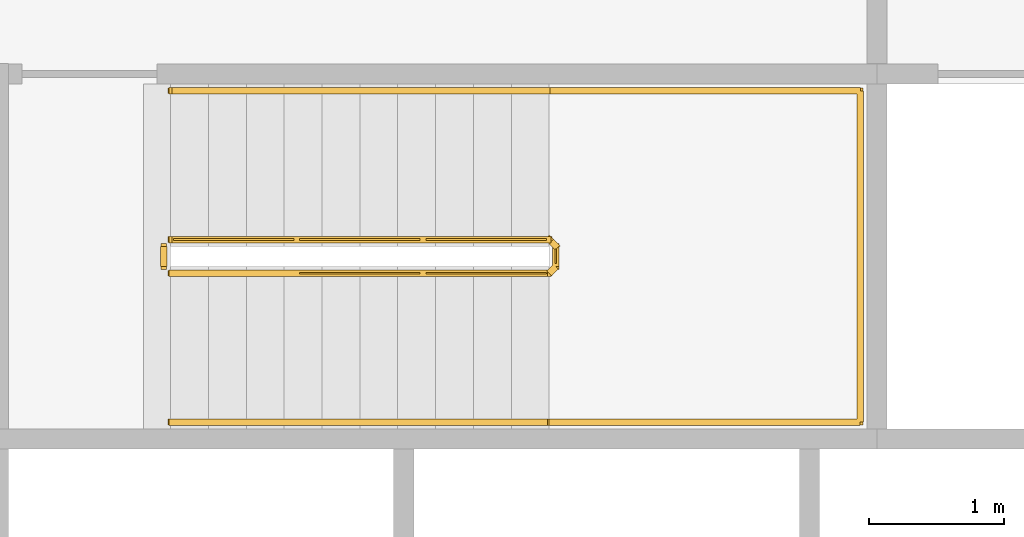
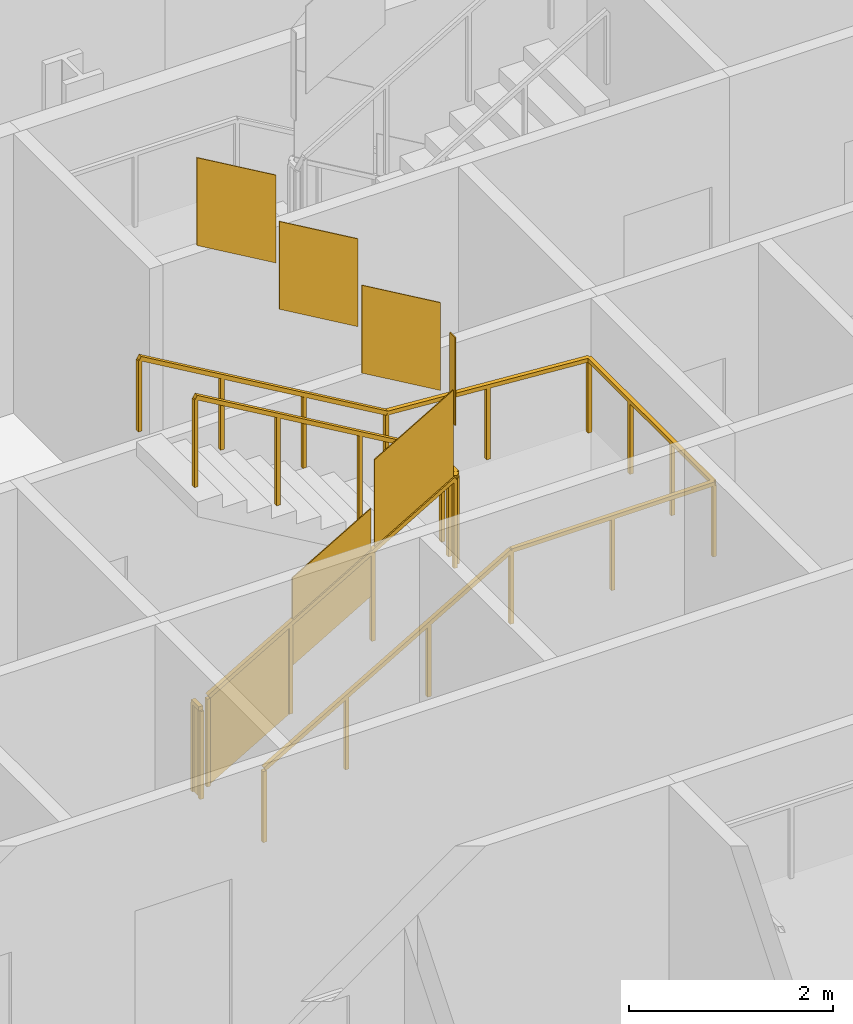
# One storey, part 18 of 23: 3 railings.
"""IFC4 building model written with IfcOpenShell, lengths in metres."""

from ifc_helpers import new_model, si_unit, direction, frame, origin, origin_2d, place, context, subcontext, project, spatial, polyline, rectangle, outline, extrude, material, type_object, element, save


model = new_model("IFC4")

# Units and contexts
model_context = context("Model", 3, precision=1e-05, world=origin(), true_north=direction((0.0, 1.0)))
body_context = subcontext(model_context, "Body", "Model", "MODEL_VIEW")
ifc_project = project(units=[si_unit("LENGTHUNIT", "METRE"), si_unit("AREAUNIT", "SQUARE_METRE"), si_unit("VOLUMEUNIT", "CUBIC_METRE"), si_unit("PLANEANGLEUNIT", "RADIAN"), si_unit("MASSUNIT", "GRAM", prefix="KILO")], contexts=[model_context])

# Site, building, storey
site_placement = place(None, origin())
site = spatial("IfcSite", under=ifc_project, at=site_placement, CompositionType="ELEMENT")
building_placement = place(site_placement, origin())
building = spatial("IfcBuilding", under=site, at=building_placement, Name="Cairn Pilgrim Tower", CompositionType="ELEMENT")
storey_placement = place(building_placement, frame((0.0, 0.0, 115.800048828125)))
storey = spatial("IfcBuildingStorey", under=building, at=storey_placement, Name="L28", CompositionType="ELEMENT", Elevation=115.800048828125)

# Railings
ifc_material = material(Name="Painted steel", Category="steel")
railing_type_1 = type_object("IfcRailingType", Name="STAIR GUARD 1100", PredefinedType="GUARDRAIL", material=ifc_material)
railing_1_placement = place(storey_placement, frame((4.47509765625, 3.425048828125, 0.16357421875)))
element("IfcRailing", 1, at=railing_1_placement, inside=storey, type_object=railing_type_1, Name="L28 ST-B stair guard 1", PredefinedType="GUARDRAIL", context=body_context, shape_type="SweptSolid", body=[
    extrude(rectangle(XDim=0.048095703125, YDim=0.048095703125, at=origin_2d()), frame((0.0, 0.0, 1.076171875), z_axis=(0.863341702679, 0.0, 0.504619762213), x_axis=(0.0, 1.0, 0.0)), (0.0, 0.0, 1.0), 3.242919921875),
    extrude(rectangle(XDim=0.048095703125, YDim=0.048095703125, at=origin_2d()), frame((2.7998046875, 0.0, 2.71240234375), z_axis=(0.707106781187, 0.707106781187, 0.0), x_axis=(-0.707106781187, 0.707106781187, 0.0)), (0.0, 0.0, 1.0), 0.07080078125),
    extrude(rectangle(XDim=0.048095703125, YDim=0.048095703125, at=origin_2d()), frame((2.849853515625, 0.050048828125, 2.71240234375), z_axis=(0.0, 1.0, 0.0), x_axis=(-1.0, 0.0, 0.0)), (0.0, 0.0, 1.0), 0.14990234375),
    extrude(rectangle(XDim=0.048095703125, YDim=0.048095703125, at=origin_2d()), frame((2.849853515625, 0.199951171875, 2.71240234375), z_axis=(-0.280808744504, 0.280808744504, 0.917765164963), x_axis=(-0.707106781187, -0.707106781187, 0.0)), (0.0, 0.0, 1.0), 0.17822265625),
    extrude(rectangle(XDim=0.048095703125, YDim=0.048095703125, at=origin_2d()), frame((2.7998046875, 0.25, 2.8759765625), z_axis=(-0.863374499697, 0.0, 0.504563646405), x_axis=(0.0, -1.0, 0.0)), (0.0, 0.0, 1.0), 3.242919921875),
    extrude(rectangle(XDim=0.0419921875, YDim=0.0419921875, at=origin_2d()), origin(), (0.0, 0.0, 1.0), 1.052001953125),
    extrude(rectangle(XDim=0.0419921875, YDim=0.0419921875, at=origin_2d()), frame((0.933349609375, 0.0, 0.54541015625)), (0.0, 0.0, 1.0), 1.052001953125),
    extrude(rectangle(XDim=0.0419921875, YDim=0.0419921875, at=origin_2d()), frame((1.866455078125, 0.0, 1.091064453125)), (0.0, 0.0, 1.0), 1.052001953125),
    extrude(rectangle(XDim=0.0419921875, YDim=0.0419921875, at=origin_2d()), frame((2.7998046875, 0.0, 1.636474609375)), (0.0, 0.0, 1.0), 1.052001953125),
    extrude(rectangle(XDim=0.0419921875, YDim=0.0419921875, at=origin_2d()), frame((2.849853515625, 0.050048828125, 1.636474609375)), (0.0, 0.0, 1.0), 1.052001953125),
    extrude(rectangle(XDim=0.0419921875, YDim=0.0419921875, at=origin_2d()), frame((2.849853515625, 0.199951171875, 1.636474609375)), (0.0, 0.0, 1.0), 1.052001953125),
    extrude(rectangle(XDim=0.0419921875, YDim=0.0419921875, at=origin_2d()), frame((2.7998046875, 0.25, 1.800048828125)), (0.0, 0.0, 1.0), 1.052001953125),
    extrude(rectangle(XDim=0.0419921875, YDim=0.0419921875, at=origin_2d()), frame((1.866455078125, 0.25, 2.345458984375)), (0.0, 0.0, 1.0), 1.052001953125),
    extrude(rectangle(XDim=0.0419921875, YDim=0.0419921875, at=origin_2d()), frame((0.933349609375, 0.25, 2.890869140625)), (0.0, 0.0, 1.0), 1.052001953125),
    extrude(rectangle(XDim=0.0419921875, YDim=0.0419921875, at=origin_2d()), frame((0.0, 0.25, 3.436279296875)), (0.0, 0.0, 1.0), 1.052001953125),
    extrude(outline(polyline([(0.02099609375, 0.01220703125), (0.912353515625, 0.533203125), (0.912353515625, 1.585205078125), (0.02099609375, 1.064208984375), (0.02099609375, 0.01220703125)])), frame((0.0, 0.005859375, 0.0), z_axis=(0.0, -1.0, 0.0), x_axis=(1.0, 0.0, 0.0)), (0.0, 0.0, 1.0), 0.011962890625),
    extrude(outline(polyline([(0.02099609375, 0.557861328125), (0.912353515625, 1.07861328125), (0.912353515625, 2.130615234375), (0.02099609375, 1.60986328125), (0.02099609375, 0.557861328125)])), frame((0.933349609375, 0.005859375, 0.54541015625), z_axis=(0.0, -1.0, 0.0), x_axis=(1.0, 0.0, 0.0)), (0.0, 0.0, 1.0), 0.011962890625),
    extrude(outline(polyline([(0.02099609375, 1.103271484375), (0.912353515625, 1.624267578125), (0.912353515625, 2.67626953125), (0.02099609375, 2.1552734375), (0.02099609375, 1.103271484375)])), frame((1.866455078125, 0.005859375, 1.091064453125), z_axis=(0.0, -1.0, 0.0), x_axis=(1.0, 0.0, 0.0)), (0.0, 0.0, 1.0), 0.011962890625),
    extrude(outline(polyline([(0.02099609375, 1.636474609375), (0.12890625, 1.636474609375), (0.12890625, 2.6884765625), (0.02099609375, 2.6884765625), (0.02099609375, 1.636474609375)])), frame((2.84375, 0.050048828125, 1.636474609375), z_axis=(1.0, 0.0, 0.0), x_axis=(0.0, 1.0, 0.0)), (0.0, 0.0, 1.0), 0.011962890625),
    extrude(outline(polyline([(0.02099609375, 1.812255859375), (0.912353515625, 2.333251953125), (0.912353515625, 3.38525390625), (0.02099609375, 2.8642578125), (0.02099609375, 1.812255859375)])), frame((2.7998046875, 0.244140625, 1.800048828125), z_axis=(0.0, 1.0, 0.0), x_axis=(-1.0, 0.0, 0.0)), (0.0, 0.0, 1.0), 0.011962890625),
    extrude(outline(polyline([(0.02099609375, 2.357666015625), (0.912353515625, 2.878662109375), (0.912353515625, 3.9306640625), (0.02099609375, 3.40966796875), (0.02099609375, 2.357666015625)])), frame((1.866455078125, 0.244140625, 2.345458984375), z_axis=(0.0, 1.0, 0.0), x_axis=(-1.0, 0.0, 0.0)), (0.0, 0.0, 1.0), 0.011962890625),
    extrude(outline(polyline([(0.02099609375, 2.903076171875), (0.912353515625, 3.424072265625), (0.912353515625, 4.47607421875), (0.02099609375, 3.955078125), (0.02099609375, 2.903076171875)])), frame((0.933349609375, 0.244140625, 2.890869140625), z_axis=(0.0, 1.0, 0.0), x_axis=(-1.0, 0.0, 0.0)), (0.0, 0.0, 1.0), 0.011962890625),
])
railing_2_placement = place(storey_placement, frame((4.425048828125, 3.47509765625, 0.0)))
element("IfcRailing", 2, at=railing_2_placement, inside=storey, type_object=railing_type_1, Name="L28 ST-B stair guard 2", PredefinedType="GUARDRAIL", context=body_context, shape_type="SweptSolid", body=[
    extrude(rectangle(XDim=0.048095703125, YDim=0.048095703125, at=origin_2d()), frame((0.0, 0.0, 1.076171875), z_axis=(0.0, 1.0, 0.0), x_axis=(-1.0, 0.0, 0.0)), (0.0, 0.0, 1.0), 0.14990234375),
    extrude(rectangle(XDim=0.0419921875, YDim=0.0419921875, at=origin_2d()), origin(), (0.0, 0.0, 1.0), 1.052001953125),
    extrude(rectangle(XDim=0.0419921875, YDim=0.0419921875, at=origin_2d()), frame((0.0, 0.14990234375, 0.0)), (0.0, 0.0, 1.0), 1.052001953125),
    extrude(outline(polyline([(0.02099609375, 0.0), (0.12890625, 0.0), (0.12890625, 1.052001953125), (0.02099609375, 1.052001953125), (0.02099609375, 0.0)])), frame((-0.005859375, 0.0, 0.0), z_axis=(1.0, 0.0, 0.0), x_axis=(0.0, 1.0, 0.0)), (0.0, 0.0, 1.0), 0.011962890625),
])
railing_type_2 = type_object("IfcRailingType", Name="STAIR HANDRAIL 900", PredefinedType="HANDRAIL", material=ifc_material)
railing_3_placement = place(storey_placement, frame((4.47509765625, 2.324951171875, 0.16357421875)))
element("IfcRailing", 3, at=railing_3_placement, inside=storey, type_object=railing_type_2, Name="L28 ST-B stair handrail 1", PredefinedType="HANDRAIL", context=body_context, shape_type="SweptSolid", body=[
    extrude(rectangle(XDim=0.048095703125, YDim=0.048095703125, at=origin_2d()), frame((0.0, 0.0, 0.8759765625), z_axis=(0.863341702679, 0.0, 0.504619762213), x_axis=(0.0, 1.0, 0.0)), (0.0, 0.0, 1.0), 3.242919921875),
    extrude(rectangle(XDim=0.048095703125, YDim=0.048095703125, at=origin_2d()), frame((2.7998046875, 0.0, 2.51220703125), z_axis=(1.0, 0.0, 0.0), x_axis=(0.0, 1.0, 0.0)), (0.0, 0.0, 1.0), 2.300048828125),
    extrude(rectangle(XDim=0.048095703125, YDim=0.048095703125, at=origin_2d()), frame((5.099853515625, 0.0, 2.51220703125), z_axis=(0.0, 1.0, 0.0), x_axis=(-1.0, 0.0, 0.0)), (0.0, 0.0, 1.0), 2.449951171875),
    extrude(rectangle(XDim=0.048095703125, YDim=0.048095703125, at=origin_2d()), frame((5.099853515625, 2.449951171875, 2.51220703125), z_axis=(-0.997480687736, 0.0, 0.070938548008), x_axis=(0.0, -1.0, 0.0)), (0.0, 0.0, 1.0), 2.305908203125),
    extrude(rectangle(XDim=0.048095703125, YDim=0.048095703125, at=origin_2d()), frame((2.7998046875, 2.449951171875, 2.67578125), z_axis=(-0.863374499697, 0.0, 0.504563646405), x_axis=(0.0, -1.0, 0.0)), (0.0, 0.0, 1.0), 3.242919921875),
    extrude(rectangle(XDim=0.0419921875, YDim=0.0419921875, at=origin_2d()), origin(), (0.0, 0.0, 1.0), 0.851806640625),
    extrude(rectangle(XDim=0.0419921875, YDim=0.0419921875, at=origin_2d()), frame((0.933349609375, 0.0, 0.54541015625)), (0.0, 0.0, 1.0), 0.851806640625),
    extrude(rectangle(XDim=0.0419921875, YDim=0.0419921875, at=origin_2d()), frame((1.866455078125, 0.0, 1.091064453125)), (0.0, 0.0, 1.0), 0.851806640625),
    extrude(rectangle(XDim=0.0419921875, YDim=0.0419921875, at=origin_2d()), frame((2.7998046875, 0.0, 1.636474609375)), (0.0, 0.0, 1.0), 0.851806640625),
    extrude(rectangle(XDim=0.0419921875, YDim=0.0419921875, at=origin_2d()), frame((3.94970703125, 0.0, 1.636474609375)), (0.0, 0.0, 1.0), 0.851806640625),
    extrude(rectangle(XDim=0.0419921875, YDim=0.0419921875, at=origin_2d()), frame((5.099853515625, 0.0, 1.636474609375)), (0.0, 0.0, 1.0), 0.851806640625),
    extrude(rectangle(XDim=0.0419921875, YDim=0.0419921875, at=origin_2d()), frame((5.099853515625, 0.816650390625, 1.636474609375)), (0.0, 0.0, 1.0), 0.851806640625),
    extrude(rectangle(XDim=0.0419921875, YDim=0.0419921875, at=origin_2d()), frame((5.099853515625, 1.63330078125, 1.636474609375)), (0.0, 0.0, 1.0), 0.851806640625),
    extrude(rectangle(XDim=0.0419921875, YDim=0.0419921875, at=origin_2d()), frame((5.099853515625, 2.449951171875, 1.636474609375)), (0.0, 0.0, 1.0), 0.851806640625),
    extrude(rectangle(XDim=0.0419921875, YDim=0.0419921875, at=origin_2d()), frame((3.94970703125, 2.449951171875, 1.71826171875)), (0.0, 0.0, 1.0), 0.851806640625),
    extrude(rectangle(XDim=0.0419921875, YDim=0.0419921875, at=origin_2d()), frame((2.7998046875, 2.449951171875, 1.800048828125)), (0.0, 0.0, 1.0), 0.851806640625),
    extrude(rectangle(XDim=0.0419921875, YDim=0.0419921875, at=origin_2d()), frame((1.866455078125, 2.449951171875, 2.345458984375)), (0.0, 0.0, 1.0), 0.851806640625),
    extrude(rectangle(XDim=0.0419921875, YDim=0.0419921875, at=origin_2d()), frame((0.933349609375, 2.449951171875, 2.890869140625)), (0.0, 0.0, 1.0), 0.851806640625),
    extrude(rectangle(XDim=0.0419921875, YDim=0.0419921875, at=origin_2d()), frame((0.0, 2.449951171875, 3.436279296875)), (0.0, 0.0, 1.0), 0.851806640625),
])

save(model, "model.ifc")
